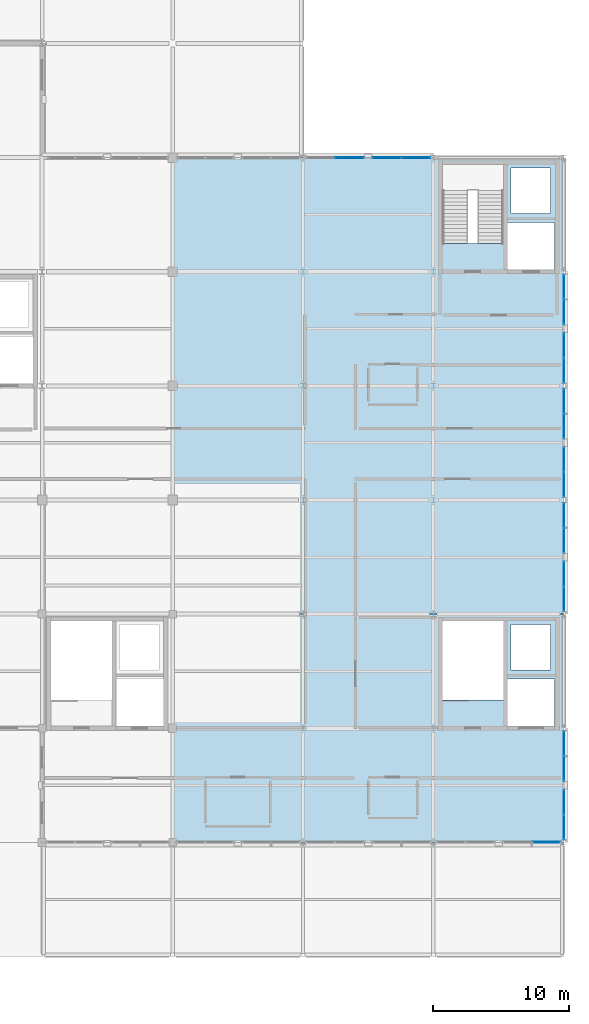
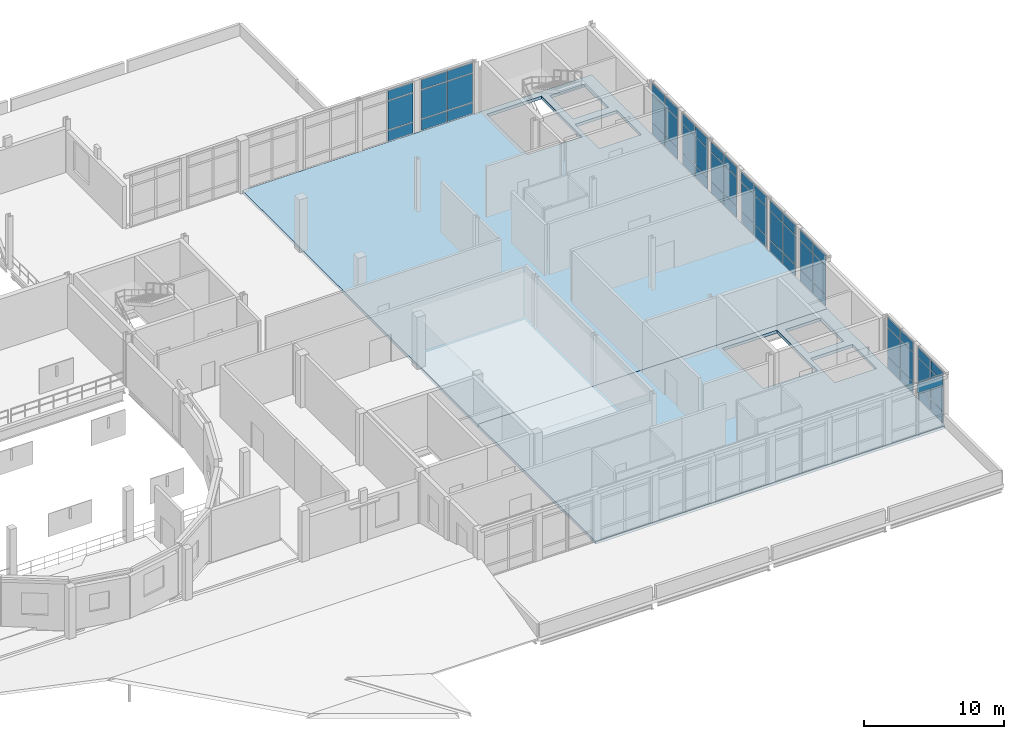
# One storey, part 33 of 52: 58 plates, 2 slabs, 11 elements without a shape of their own.
"""IFC4 building model written with IfcOpenShell, lengths in metres."""

from ifc_helpers import new_model, si_unit, direction, frame, origin, origin_2d, place, context, subcontext, project, spatial, polyline, rectangle, outline, extrude, material, layer, layer_set, type_object, element, aggregate, save


model = new_model("IFC4")

# Units and contexts
model_context = context("Model", 3, precision=1e-05, world=origin(), true_north=direction((0.0, 1.0)))
body_context = subcontext(model_context, "Body", "Model", "MODEL_VIEW")
ifc_project = project(units=[si_unit("LENGTHUNIT", "METRE"), si_unit("AREAUNIT", "SQUARE_METRE"), si_unit("VOLUMEUNIT", "CUBIC_METRE"), si_unit("PLANEANGLEUNIT", "RADIAN"), si_unit("MASSUNIT", "GRAM", prefix="KILO")], contexts=[model_context])

# Site, building, storey
site_placement = place(None, origin())
site = spatial("IfcSite", under=ifc_project, at=site_placement, CompositionType="ELEMENT")
building_placement = place(site_placement, origin())
building = spatial("IfcBuilding", under=site, at=building_placement, Name="Lornevale Opera House", CompositionType="ELEMENT")
storey_placement = place(building_placement, frame((0.0, 0.0, 15.0)))
storey = spatial("IfcBuildingStorey", under=building, at=storey_placement, Name="L04", CompositionType="ELEMENT", Elevation=15.0)

# Curtain wall, plates
ifc_material_1 = material(Name="Anodized Oxide-Green Aluminium Framing", Category="aluminium")
ifc_layer_1 = layer(ifc_material_1, 0.18505859375)
ifc_layer_set_1 = layer_set([ifc_layer_1], Name="Anodized Oxide-Green Aluminium Framing")
curtain_wall_type_1 = type_object("IfcCurtainWallType", Name="Conservatory Curtain Wall M2100", PredefinedType="NOTDEFINED", material=ifc_layer_set_1)
curtain_wall_1_placement = place(storey_placement, origin())
curtain_wall_1 = element("IfcCurtainWall", 1, at=curtain_wall_1_placement, inside=storey, type_object=curtain_wall_type_1, Name="Conservatory Curtain Wall M2100 CW-159", PredefinedType="NOTDEFINED")
ifc_layer_2 = layer(ifc_material_1, 0.06494140625)
ifc_layer_set_2 = layer_set([ifc_layer_2], Name="Anodized Oxide-Green Aluminium Framing")
plate_type_1 = type_object("IfcPlateType", Name="Insulated Shadow-Box Spandrel 65", PredefinedType="CURTAIN_PANEL", material=ifc_layer_set_2)
plate_1_placement = place(storey_placement, frame((128.219482421875, 75.60009765625, 0.074951171875), z_axis=(0.0, 0.0, 1.0), x_axis=(1.0, 0.0, 0.0)))
plate_1 = element("IfcPlate", 2, at=plate_1_placement, type_object=plate_type_1, Name="Insulated Shadow-Box Spandrel 65 CW3269", PredefinedType="CURTAIN_PANEL", context=body_context, shape_type="SweptSolid", body=[
    extrude(rectangle(XDim=2.0712890625, YDim=0.06494140625, at=origin_2d()), origin(), (0.0, 0.0, 1.0), 0.9375),
])
plate_2_placement = place(storey_placement, frame((128.219482421875, 75.60009765625, 1.08740234375), z_axis=(0.0, 0.0, 1.0), x_axis=(1.0, 0.0, 0.0)))
plate_2 = element("IfcPlate", 3, at=plate_2_placement, type_object=plate_type_1, Name="Insulated Shadow-Box Spandrel 65 CW3270", PredefinedType="CURTAIN_PANEL", context=body_context, shape_type="SweptSolid", body=[
    extrude(rectangle(XDim=2.0712890625, YDim=0.06494140625, at=origin_2d()), origin(), (0.0, 0.0, 1.0), 2.485107421875),
])
plate_3_placement = place(storey_placement, frame((128.219482421875, 75.60009765625, 3.647705078125), z_axis=(0.0, 0.0, 1.0), x_axis=(1.0, 0.0, 0.0)))
plate_3 = element("IfcPlate", 4, at=plate_3_placement, type_object=plate_type_1, Name="Insulated Shadow-Box Spandrel 65 CW3271", PredefinedType="CURTAIN_PANEL", context=body_context, shape_type="SweptSolid", body=[
    extrude(rectangle(XDim=2.0712890625, YDim=0.06494140625, at=origin_2d()), origin(), (0.0, 0.0, 1.0), 0.83740234375),
])
aggregate(curtain_wall_1, [plate_1, plate_2, plate_3])

curtain_wall_2_placement = place(storey_placement, origin())
curtain_wall_2 = element("IfcCurtainWall", 5, at=curtain_wall_2_placement, inside=storey, type_object=curtain_wall_type_1, Name="Conservatory Curtain Wall M2100 CW-160", PredefinedType="NOTDEFINED")
plate_4_placement = place(storey_placement, frame((130.980712890625, 75.60009765625, 0.074951171875), z_axis=(0.0, 0.0, 1.0), x_axis=(1.0, 0.0, 0.0)))
plate_4 = element("IfcPlate", 6, at=plate_4_placement, type_object=plate_type_1, Name="Insulated Shadow-Box Spandrel 65 CW3279", PredefinedType="CURTAIN_PANEL", context=body_context, shape_type="SweptSolid", body=[
    extrude(rectangle(XDim=2.0712890625, YDim=0.06494140625, at=origin_2d()), origin(), (0.0, 0.0, 1.0), 0.9375),
])
plate_5_placement = place(storey_placement, frame((130.980712890625, 75.60009765625, 1.08740234375), z_axis=(0.0, 0.0, 1.0), x_axis=(1.0, 0.0, 0.0)))
plate_5 = element("IfcPlate", 7, at=plate_5_placement, type_object=plate_type_1, Name="Insulated Shadow-Box Spandrel 65 CW3280", PredefinedType="CURTAIN_PANEL", context=body_context, shape_type="SweptSolid", body=[
    extrude(rectangle(XDim=2.0712890625, YDim=0.06494140625, at=origin_2d()), origin(), (0.0, 0.0, 1.0), 2.485107421875),
])
plate_6_placement = place(storey_placement, frame((130.980712890625, 75.60009765625, 3.647705078125), z_axis=(0.0, 0.0, 1.0), x_axis=(1.0, 0.0, 0.0)))
plate_6 = element("IfcPlate", 8, at=plate_6_placement, type_object=plate_type_1, Name="Insulated Shadow-Box Spandrel 65 CW3281", PredefinedType="CURTAIN_PANEL", context=body_context, shape_type="SweptSolid", body=[
    extrude(rectangle(XDim=2.0712890625, YDim=0.06494140625, at=origin_2d()), origin(), (0.0, 0.0, 1.0), 0.83740234375),
])
plate_7_placement = place(storey_placement, frame((133.116943359375, 75.60009765625, 0.074951171875), z_axis=(0.0, 0.0, 1.0), x_axis=(1.0, 0.0, 0.0)))
plate_7 = element("IfcPlate", 9, at=plate_7_placement, type_object=plate_type_1, Name="Insulated Shadow-Box Spandrel 65 CW3286", PredefinedType="CURTAIN_PANEL", context=body_context, shape_type="SweptSolid", body=[
    extrude(rectangle(XDim=2.0712890625, YDim=0.06494140625, at=origin_2d()), origin(), (0.0, 0.0, 1.0), 0.9375),
])
plate_8_placement = place(storey_placement, frame((133.116943359375, 75.60009765625, 1.08740234375), z_axis=(0.0, 0.0, 1.0), x_axis=(1.0, 0.0, 0.0)))
plate_8 = element("IfcPlate", 10, at=plate_8_placement, type_object=plate_type_1, Name="Insulated Shadow-Box Spandrel 65 CW3287", PredefinedType="CURTAIN_PANEL", context=body_context, shape_type="SweptSolid", body=[
    extrude(rectangle(XDim=2.0712890625, YDim=0.06494140625, at=origin_2d()), origin(), (0.0, 0.0, 1.0), 2.485107421875),
])
plate_9_placement = place(storey_placement, frame((133.116943359375, 75.60009765625, 3.647705078125), z_axis=(0.0, 0.0, 1.0), x_axis=(1.0, 0.0, 0.0)))
plate_9 = element("IfcPlate", 11, at=plate_9_placement, type_object=plate_type_1, Name="Insulated Shadow-Box Spandrel 65 CW3288", PredefinedType="CURTAIN_PANEL", context=body_context, shape_type="SweptSolid", body=[
    extrude(rectangle(XDim=2.0712890625, YDim=0.06494140625, at=origin_2d()), origin(), (0.0, 0.0, 1.0), 0.83740234375),
])
aggregate(curtain_wall_2, [plate_4, plate_5, plate_6, plate_7, plate_8, plate_9])

# Curtain wall, plate
curtain_wall_3_placement = place(storey_placement, origin())
curtain_wall_3 = element("IfcCurtainWall", 12, at=curtain_wall_3_placement, inside=storey, type_object=curtain_wall_type_1, Name="Conservatory Curtain Wall M2100 CW-161", PredefinedType="NOTDEFINED")
plate_10_placement = place(storey_placement, frame((142.716796875, 25.199951171875, 3.647705078125), z_axis=(0.0, 0.0, 1.0), x_axis=(-1.0, 0.0, 0.0)))
plate_10 = element("IfcPlate", 13, at=plate_10_placement, type_object=plate_type_1, Name="Insulated Shadow-Box Spandrel 65 CW3298", PredefinedType="CURTAIN_PANEL", context=body_context, shape_type="SweptSolid", body=[
    extrude(rectangle(XDim=2.0712890625, YDim=0.06494140625, at=origin_2d()), origin(), (0.0, 0.0, 1.0), 0.83740234375),
])
aggregate(curtain_wall_3, [plate_10])

# Curtain wall, plates
ifc_layer_3 = layer(ifc_material_1, 0.179931640625)
ifc_layer_set_3 = layer_set([ifc_layer_3], Name="Anodized Oxide-Green Aluminium Framing")
curtain_wall_type_2 = type_object("IfcCurtainWallType", Name="Promenade Gallery Curtain Wall M1800", PredefinedType="NOTDEFINED", material=ifc_layer_set_3)
curtain_wall_4_placement = place(storey_placement, origin())
curtain_wall_4 = element("IfcCurtainWall", 14, at=curtain_wall_4_placement, inside=storey, type_object=curtain_wall_type_2, Name="Promenade Gallery Curtain Wall M1800 CW-163", PredefinedType="NOTDEFINED")
ifc_material_2 = material(Name="Triple Low-E Insulated Glazing", Category="glass")
ifc_layer_4 = layer(ifc_material_2, 0.0380859375)
ifc_layer_set_4 = layer_set([ifc_layer_4], Name="Triple Low-E Insulated Glazing")
plate_type_2 = type_object("IfcPlateType", Name="Triple Low-E Vision Panel 38", PredefinedType="CURTAIN_PANEL", material=ifc_layer_set_4)
plate_11_placement = place(storey_placement, frame((144.0, 32.46875, 0.06494140625), z_axis=(0.0, 0.0, 1.0), x_axis=(0.0, -1.0, 0.0)))
plate_11 = element("IfcPlate", 15, at=plate_11_placement, type_object=plate_type_2, Name="Triple Low-E Vision Panel 38 CW3330", PredefinedType="CURTAIN_PANEL", context=body_context, shape_type="SweptSolid", body=[
    extrude(rectangle(XDim=1.7724609375, YDim=0.0380859375, at=origin_2d()), origin(), (0.0, 0.0, 1.0), 0.952392578125),
])
plate_12_placement = place(storey_placement, frame((144.0, 32.46875, 1.08251953125), z_axis=(0.0, 0.0, 1.0), x_axis=(0.0, -1.0, 0.0)))
plate_12 = element("IfcPlate", 16, at=plate_12_placement, type_object=plate_type_2, Name="Triple Low-E Vision Panel 38 CW3331", PredefinedType="CURTAIN_PANEL", context=body_context, shape_type="SweptSolid", body=[
    extrude(rectangle(XDim=1.7724609375, YDim=0.0380859375, at=origin_2d()), origin(), (0.0, 0.0, 1.0), 2.4951171875),
])
plate_13_placement = place(storey_placement, frame((144.0, 32.46875, 3.642578125), z_axis=(0.0, 0.0, 1.0), x_axis=(0.0, -1.0, 0.0)))
plate_13 = element("IfcPlate", 17, at=plate_13_placement, type_object=plate_type_2, Name="Triple Low-E Vision Panel 38 CW3332", PredefinedType="CURTAIN_PANEL", context=body_context, shape_type="SweptSolid", body=[
    extrude(rectangle(XDim=1.7724609375, YDim=0.0380859375, at=origin_2d()), origin(), (0.0, 0.0, 1.0), 0.8525390625),
])
plate_14_placement = place(storey_placement, frame((144.0, 30.63134765625, 0.06494140625), z_axis=(0.0, 0.0, 1.0), x_axis=(0.0, -1.0, 0.0)))
plate_14 = element("IfcPlate", 18, at=plate_14_placement, type_object=plate_type_2, Name="Triple Low-E Vision Panel 38 CW3337", PredefinedType="CURTAIN_PANEL", context=body_context, shape_type="SweptSolid", body=[
    extrude(rectangle(XDim=1.7724609375, YDim=0.0380859375, at=origin_2d()), origin(), (0.0, 0.0, 1.0), 0.952392578125),
])
plate_15_placement = place(storey_placement, frame((144.0, 30.63134765625, 1.08251953125), z_axis=(0.0, 0.0, 1.0), x_axis=(0.0, -1.0, 0.0)))
plate_15 = element("IfcPlate", 19, at=plate_15_placement, type_object=plate_type_2, Name="Triple Low-E Vision Panel 38 CW3338", PredefinedType="CURTAIN_PANEL", context=body_context, shape_type="SweptSolid", body=[
    extrude(rectangle(XDim=1.7724609375, YDim=0.0380859375, at=origin_2d()), origin(), (0.0, 0.0, 1.0), 2.4951171875),
])
plate_16_placement = place(storey_placement, frame((144.0, 30.63134765625, 3.642578125), z_axis=(0.0, 0.0, 1.0), x_axis=(0.0, -1.0, 0.0)))
plate_16 = element("IfcPlate", 20, at=plate_16_placement, type_object=plate_type_2, Name="Triple Low-E Vision Panel 38 CW3339", PredefinedType="CURTAIN_PANEL", context=body_context, shape_type="SweptSolid", body=[
    extrude(rectangle(XDim=1.7724609375, YDim=0.0380859375, at=origin_2d()), origin(), (0.0, 0.0, 1.0), 0.8525390625),
])
aggregate(curtain_wall_4, [plate_11, plate_12, plate_13, plate_14, plate_15, plate_16])

curtain_wall_5_placement = place(storey_placement, origin())
curtain_wall_5 = element("IfcCurtainWall", 21, at=curtain_wall_5_placement, inside=storey, type_object=curtain_wall_type_2, Name="Promenade Gallery Curtain Wall M1800 CW-164", PredefinedType="NOTDEFINED")
plate_17_placement = place(storey_placement, frame((144.0, 28.168701171875, 0.06494140625), z_axis=(0.0, 0.0, 1.0), x_axis=(0.0, -1.0, 0.0)))
plate_17 = element("IfcPlate", 22, at=plate_17_placement, type_object=plate_type_2, Name="Triple Low-E Vision Panel 38 CW3347", PredefinedType="CURTAIN_PANEL", context=body_context, shape_type="SweptSolid", body=[
    extrude(rectangle(XDim=1.7724609375, YDim=0.0380859375, at=origin_2d()), origin(), (0.0, 0.0, 1.0), 0.952392578125),
])
plate_18_placement = place(storey_placement, frame((144.0, 28.168701171875, 1.08251953125), z_axis=(0.0, 0.0, 1.0), x_axis=(0.0, -1.0, 0.0)))
plate_18 = element("IfcPlate", 23, at=plate_18_placement, type_object=plate_type_2, Name="Triple Low-E Vision Panel 38 CW3348", PredefinedType="CURTAIN_PANEL", context=body_context, shape_type="SweptSolid", body=[
    extrude(rectangle(XDim=1.7724609375, YDim=0.0380859375, at=origin_2d()), origin(), (0.0, 0.0, 1.0), 2.4951171875),
])
plate_19_placement = place(storey_placement, frame((144.0, 28.168701171875, 3.642578125), z_axis=(0.0, 0.0, 1.0), x_axis=(0.0, -1.0, 0.0)))
plate_19 = element("IfcPlate", 24, at=plate_19_placement, type_object=plate_type_2, Name="Triple Low-E Vision Panel 38 CW3349", PredefinedType="CURTAIN_PANEL", context=body_context, shape_type="SweptSolid", body=[
    extrude(rectangle(XDim=1.7724609375, YDim=0.0380859375, at=origin_2d()), origin(), (0.0, 0.0, 1.0), 0.8525390625),
])
plate_20_placement = place(storey_placement, frame((144.0, 26.331298828125, 0.06494140625), z_axis=(0.0, 0.0, 1.0), x_axis=(0.0, -1.0, 0.0)))
plate_20 = element("IfcPlate", 25, at=plate_20_placement, type_object=plate_type_2, Name="Triple Low-E Vision Panel 38 CW3354", PredefinedType="CURTAIN_PANEL", context=body_context, shape_type="SweptSolid", body=[
    extrude(rectangle(XDim=1.7724609375, YDim=0.0380859375, at=origin_2d()), origin(), (0.0, 0.0, 1.0), 0.952392578125),
])
plate_21_placement = place(storey_placement, frame((144.0, 26.331298828125, 1.08251953125), z_axis=(0.0, 0.0, 1.0), x_axis=(0.0, -1.0, 0.0)))
plate_21 = element("IfcPlate", 26, at=plate_21_placement, type_object=plate_type_2, Name="Triple Low-E Vision Panel 38 CW3355", PredefinedType="CURTAIN_PANEL", context=body_context, shape_type="SweptSolid", body=[
    extrude(rectangle(XDim=1.7724609375, YDim=0.0380859375, at=origin_2d()), origin(), (0.0, 0.0, 1.0), 2.4951171875),
])
plate_22_placement = place(storey_placement, frame((144.0, 26.331298828125, 3.642578125), z_axis=(0.0, 0.0, 1.0), x_axis=(0.0, -1.0, 0.0)))
plate_22 = element("IfcPlate", 27, at=plate_22_placement, type_object=plate_type_2, Name="Triple Low-E Vision Panel 38 CW3356", PredefinedType="CURTAIN_PANEL", context=body_context, shape_type="SweptSolid", body=[
    extrude(rectangle(XDim=1.7724609375, YDim=0.0380859375, at=origin_2d()), origin(), (0.0, 0.0, 1.0), 0.8525390625),
])
aggregate(curtain_wall_5, [plate_17, plate_18, plate_19, plate_20, plate_21, plate_22])

curtain_wall_6_placement = place(storey_placement, origin())
curtain_wall_6 = element("IfcCurtainWall", 28, at=curtain_wall_6_placement, inside=storey, type_object=curtain_wall_type_2, Name="Promenade Gallery Curtain Wall M1800 CW-165", PredefinedType="NOTDEFINED")
plate_23_placement = place(storey_placement, frame((144.0, 49.268798828125, 0.06494140625), z_axis=(0.0, 0.0, 1.0), x_axis=(0.0, -1.0, 0.0)))
plate_23 = element("IfcPlate", 29, at=plate_23_placement, type_object=plate_type_2, Name="Triple Low-E Vision Panel 38 CW3364", PredefinedType="CURTAIN_PANEL", context=body_context, shape_type="SweptSolid", body=[
    extrude(rectangle(XDim=1.7724609375, YDim=0.0380859375, at=origin_2d()), origin(), (0.0, 0.0, 1.0), 0.952392578125),
])
plate_24_placement = place(storey_placement, frame((144.0, 49.268798828125, 1.08251953125), z_axis=(0.0, 0.0, 1.0), x_axis=(0.0, -1.0, 0.0)))
plate_24 = element("IfcPlate", 30, at=plate_24_placement, type_object=plate_type_2, Name="Triple Low-E Vision Panel 38 CW3365", PredefinedType="CURTAIN_PANEL", context=body_context, shape_type="SweptSolid", body=[
    extrude(rectangle(XDim=1.7724609375, YDim=0.0380859375, at=origin_2d()), origin(), (0.0, 0.0, 1.0), 2.4951171875),
])
plate_25_placement = place(storey_placement, frame((144.0, 49.268798828125, 3.642578125), z_axis=(0.0, 0.0, 1.0), x_axis=(0.0, -1.0, 0.0)))
plate_25 = element("IfcPlate", 31, at=plate_25_placement, type_object=plate_type_2, Name="Triple Low-E Vision Panel 38 CW3366", PredefinedType="CURTAIN_PANEL", context=body_context, shape_type="SweptSolid", body=[
    extrude(rectangle(XDim=1.7724609375, YDim=0.0380859375, at=origin_2d()), origin(), (0.0, 0.0, 1.0), 0.8525390625),
])
plate_26_placement = place(storey_placement, frame((144.0, 47.43115234375, 0.06494140625), z_axis=(0.0, 0.0, 1.0), x_axis=(0.0, -1.0, 0.0)))
plate_26 = element("IfcPlate", 32, at=plate_26_placement, type_object=plate_type_2, Name="Triple Low-E Vision Panel 38 CW3371", PredefinedType="CURTAIN_PANEL", context=body_context, shape_type="SweptSolid", body=[
    extrude(rectangle(XDim=1.7724609375, YDim=0.0380859375, at=origin_2d()), origin(), (0.0, 0.0, 1.0), 0.952392578125),
])
plate_27_placement = place(storey_placement, frame((144.0, 47.43115234375, 1.08251953125), z_axis=(0.0, 0.0, 1.0), x_axis=(0.0, -1.0, 0.0)))
plate_27 = element("IfcPlate", 33, at=plate_27_placement, type_object=plate_type_2, Name="Triple Low-E Vision Panel 38 CW3372", PredefinedType="CURTAIN_PANEL", context=body_context, shape_type="SweptSolid", body=[
    extrude(rectangle(XDim=1.7724609375, YDim=0.0380859375, at=origin_2d()), origin(), (0.0, 0.0, 1.0), 2.4951171875),
])
plate_28_placement = place(storey_placement, frame((144.0, 47.43115234375, 3.642578125), z_axis=(0.0, 0.0, 1.0), x_axis=(0.0, -1.0, 0.0)))
plate_28 = element("IfcPlate", 34, at=plate_28_placement, type_object=plate_type_2, Name="Triple Low-E Vision Panel 38 CW3373", PredefinedType="CURTAIN_PANEL", context=body_context, shape_type="SweptSolid", body=[
    extrude(rectangle(XDim=1.7724609375, YDim=0.0380859375, at=origin_2d()), origin(), (0.0, 0.0, 1.0), 0.8525390625),
])
aggregate(curtain_wall_6, [plate_23, plate_24, plate_25, plate_26, plate_27, plate_28])

curtain_wall_7_placement = place(storey_placement, origin())
curtain_wall_7 = element("IfcCurtainWall", 35, at=curtain_wall_7_placement, inside=storey, type_object=curtain_wall_type_2, Name="Promenade Gallery Curtain Wall M1800 CW-166", PredefinedType="NOTDEFINED")
plate_29_placement = place(storey_placement, frame((144.0, 44.96875, 0.06494140625), z_axis=(0.0, 0.0, 1.0), x_axis=(0.0, -1.0, 0.0)))
plate_29 = element("IfcPlate", 36, at=plate_29_placement, type_object=plate_type_2, Name="Triple Low-E Vision Panel 38 CW3381", PredefinedType="CURTAIN_PANEL", context=body_context, shape_type="SweptSolid", body=[
    extrude(rectangle(XDim=1.7724609375, YDim=0.0380859375, at=origin_2d()), origin(), (0.0, 0.0, 1.0), 0.952392578125),
])
plate_30_placement = place(storey_placement, frame((144.0, 44.96875, 1.08251953125), z_axis=(0.0, 0.0, 1.0), x_axis=(0.0, -1.0, 0.0)))
plate_30 = element("IfcPlate", 37, at=plate_30_placement, type_object=plate_type_2, Name="Triple Low-E Vision Panel 38 CW3382", PredefinedType="CURTAIN_PANEL", context=body_context, shape_type="SweptSolid", body=[
    extrude(rectangle(XDim=1.7724609375, YDim=0.0380859375, at=origin_2d()), origin(), (0.0, 0.0, 1.0), 2.4951171875),
])
plate_31_placement = place(storey_placement, frame((144.0, 44.96875, 3.642578125), z_axis=(0.0, 0.0, 1.0), x_axis=(0.0, -1.0, 0.0)))
plate_31 = element("IfcPlate", 38, at=plate_31_placement, type_object=plate_type_2, Name="Triple Low-E Vision Panel 38 CW3383", PredefinedType="CURTAIN_PANEL", context=body_context, shape_type="SweptSolid", body=[
    extrude(rectangle(XDim=1.7724609375, YDim=0.0380859375, at=origin_2d()), origin(), (0.0, 0.0, 1.0), 0.8525390625),
])
plate_32_placement = place(storey_placement, frame((144.0, 43.13134765625, 0.06494140625), z_axis=(0.0, 0.0, 1.0), x_axis=(0.0, -1.0, 0.0)))
plate_32 = element("IfcPlate", 39, at=plate_32_placement, type_object=plate_type_2, Name="Triple Low-E Vision Panel 38 CW3388", PredefinedType="CURTAIN_PANEL", context=body_context, shape_type="SweptSolid", body=[
    extrude(rectangle(XDim=1.7724609375, YDim=0.0380859375, at=origin_2d()), origin(), (0.0, 0.0, 1.0), 0.952392578125),
])
plate_33_placement = place(storey_placement, frame((144.0, 43.13134765625, 1.08251953125), z_axis=(0.0, 0.0, 1.0), x_axis=(0.0, -1.0, 0.0)))
plate_33 = element("IfcPlate", 40, at=plate_33_placement, type_object=plate_type_2, Name="Triple Low-E Vision Panel 38 CW3389", PredefinedType="CURTAIN_PANEL", context=body_context, shape_type="SweptSolid", body=[
    extrude(rectangle(XDim=1.7724609375, YDim=0.0380859375, at=origin_2d()), origin(), (0.0, 0.0, 1.0), 2.4951171875),
])
plate_34_placement = place(storey_placement, frame((144.0, 43.13134765625, 3.642578125), z_axis=(0.0, 0.0, 1.0), x_axis=(0.0, -1.0, 0.0)))
plate_34 = element("IfcPlate", 41, at=plate_34_placement, type_object=plate_type_2, Name="Triple Low-E Vision Panel 38 CW3390", PredefinedType="CURTAIN_PANEL", context=body_context, shape_type="SweptSolid", body=[
    extrude(rectangle(XDim=1.7724609375, YDim=0.0380859375, at=origin_2d()), origin(), (0.0, 0.0, 1.0), 0.8525390625),
])
aggregate(curtain_wall_7, [plate_29, plate_30, plate_31, plate_32, plate_33, plate_34])

curtain_wall_8_placement = place(storey_placement, origin())
curtain_wall_8 = element("IfcCurtainWall", 42, at=curtain_wall_8_placement, inside=storey, type_object=curtain_wall_type_2, Name="Promenade Gallery Curtain Wall M1800 CW-167", PredefinedType="NOTDEFINED")
plate_35_placement = place(storey_placement, frame((144.0, 57.668701171875, 0.06494140625), z_axis=(0.0, 0.0, 1.0), x_axis=(0.0, -1.0, 0.0)))
plate_35 = element("IfcPlate", 43, at=plate_35_placement, type_object=plate_type_2, Name="Triple Low-E Vision Panel 38 CW3398", PredefinedType="CURTAIN_PANEL", context=body_context, shape_type="SweptSolid", body=[
    extrude(rectangle(XDim=1.7724609375, YDim=0.0380859375, at=origin_2d()), origin(), (0.0, 0.0, 1.0), 0.952392578125),
])
plate_36_placement = place(storey_placement, frame((144.0, 57.668701171875, 1.08251953125), z_axis=(0.0, 0.0, 1.0), x_axis=(0.0, -1.0, 0.0)))
plate_36 = element("IfcPlate", 44, at=plate_36_placement, type_object=plate_type_2, Name="Triple Low-E Vision Panel 38 CW3399", PredefinedType="CURTAIN_PANEL", context=body_context, shape_type="SweptSolid", body=[
    extrude(rectangle(XDim=1.7724609375, YDim=0.0380859375, at=origin_2d()), origin(), (0.0, 0.0, 1.0), 2.4951171875),
])
plate_37_placement = place(storey_placement, frame((144.0, 57.668701171875, 3.642578125), z_axis=(0.0, 0.0, 1.0), x_axis=(0.0, -1.0, 0.0)))
plate_37 = element("IfcPlate", 45, at=plate_37_placement, type_object=plate_type_2, Name="Triple Low-E Vision Panel 38 CW3400", PredefinedType="CURTAIN_PANEL", context=body_context, shape_type="SweptSolid", body=[
    extrude(rectangle(XDim=1.7724609375, YDim=0.0380859375, at=origin_2d()), origin(), (0.0, 0.0, 1.0), 0.8525390625),
])
plate_38_placement = place(storey_placement, frame((144.0, 55.831298828125, 0.06494140625), z_axis=(0.0, 0.0, 1.0), x_axis=(0.0, -1.0, 0.0)))
plate_38 = element("IfcPlate", 46, at=plate_38_placement, type_object=plate_type_2, Name="Triple Low-E Vision Panel 38 CW3405", PredefinedType="CURTAIN_PANEL", context=body_context, shape_type="SweptSolid", body=[
    extrude(rectangle(XDim=1.7724609375, YDim=0.0380859375, at=origin_2d()), origin(), (0.0, 0.0, 1.0), 0.952392578125),
])
plate_39_placement = place(storey_placement, frame((144.0, 55.831298828125, 1.08251953125), z_axis=(0.0, 0.0, 1.0), x_axis=(0.0, -1.0, 0.0)))
plate_39 = element("IfcPlate", 47, at=plate_39_placement, type_object=plate_type_2, Name="Triple Low-E Vision Panel 38 CW3406", PredefinedType="CURTAIN_PANEL", context=body_context, shape_type="SweptSolid", body=[
    extrude(rectangle(XDim=1.7724609375, YDim=0.0380859375, at=origin_2d()), origin(), (0.0, 0.0, 1.0), 2.4951171875),
])
plate_40_placement = place(storey_placement, frame((144.0, 55.831298828125, 3.642578125), z_axis=(0.0, 0.0, 1.0), x_axis=(0.0, -1.0, 0.0)))
plate_40 = element("IfcPlate", 48, at=plate_40_placement, type_object=plate_type_2, Name="Triple Low-E Vision Panel 38 CW3407", PredefinedType="CURTAIN_PANEL", context=body_context, shape_type="SweptSolid", body=[
    extrude(rectangle(XDim=1.7724609375, YDim=0.0380859375, at=origin_2d()), origin(), (0.0, 0.0, 1.0), 0.8525390625),
])
aggregate(curtain_wall_8, [plate_35, plate_36, plate_37, plate_38, plate_39, plate_40])

curtain_wall_9_placement = place(storey_placement, origin())
curtain_wall_9 = element("IfcCurtainWall", 49, at=curtain_wall_9_placement, inside=storey, type_object=curtain_wall_type_2, Name="Promenade Gallery Curtain Wall M1800 CW-168", PredefinedType="NOTDEFINED")
plate_41_placement = place(storey_placement, frame((144.0, 53.36865234375, 0.06494140625), z_axis=(0.0, 0.0, 1.0), x_axis=(0.0, -1.0, 0.0)))
plate_41 = element("IfcPlate", 50, at=plate_41_placement, type_object=plate_type_2, Name="Triple Low-E Vision Panel 38 CW3415", PredefinedType="CURTAIN_PANEL", context=body_context, shape_type="SweptSolid", body=[
    extrude(rectangle(XDim=1.7724609375, YDim=0.0380859375, at=origin_2d()), origin(), (0.0, 0.0, 1.0), 0.952392578125),
])
plate_42_placement = place(storey_placement, frame((144.0, 53.36865234375, 1.08251953125), z_axis=(0.0, 0.0, 1.0), x_axis=(0.0, -1.0, 0.0)))
plate_42 = element("IfcPlate", 51, at=plate_42_placement, type_object=plate_type_2, Name="Triple Low-E Vision Panel 38 CW3416", PredefinedType="CURTAIN_PANEL", context=body_context, shape_type="SweptSolid", body=[
    extrude(rectangle(XDim=1.7724609375, YDim=0.0380859375, at=origin_2d()), origin(), (0.0, 0.0, 1.0), 2.4951171875),
])
plate_43_placement = place(storey_placement, frame((144.0, 53.36865234375, 3.642578125), z_axis=(0.0, 0.0, 1.0), x_axis=(0.0, -1.0, 0.0)))
plate_43 = element("IfcPlate", 52, at=plate_43_placement, type_object=plate_type_2, Name="Triple Low-E Vision Panel 38 CW3417", PredefinedType="CURTAIN_PANEL", context=body_context, shape_type="SweptSolid", body=[
    extrude(rectangle(XDim=1.7724609375, YDim=0.0380859375, at=origin_2d()), origin(), (0.0, 0.0, 1.0), 0.8525390625),
])
plate_44_placement = place(storey_placement, frame((144.0, 51.53125, 0.06494140625), z_axis=(0.0, 0.0, 1.0), x_axis=(0.0, -1.0, 0.0)))
plate_44 = element("IfcPlate", 53, at=plate_44_placement, type_object=plate_type_2, Name="Triple Low-E Vision Panel 38 CW3422", PredefinedType="CURTAIN_PANEL", context=body_context, shape_type="SweptSolid", body=[
    extrude(rectangle(XDim=1.7724609375, YDim=0.0380859375, at=origin_2d()), origin(), (0.0, 0.0, 1.0), 0.952392578125),
])
plate_45_placement = place(storey_placement, frame((144.0, 51.53125, 1.08251953125), z_axis=(0.0, 0.0, 1.0), x_axis=(0.0, -1.0, 0.0)))
plate_45 = element("IfcPlate", 54, at=plate_45_placement, type_object=plate_type_2, Name="Triple Low-E Vision Panel 38 CW3423", PredefinedType="CURTAIN_PANEL", context=body_context, shape_type="SweptSolid", body=[
    extrude(rectangle(XDim=1.7724609375, YDim=0.0380859375, at=origin_2d()), origin(), (0.0, 0.0, 1.0), 2.4951171875),
])
plate_46_placement = place(storey_placement, frame((144.0, 51.53125, 3.642578125), z_axis=(0.0, 0.0, 1.0), x_axis=(0.0, -1.0, 0.0)))
plate_46 = element("IfcPlate", 55, at=plate_46_placement, type_object=plate_type_2, Name="Triple Low-E Vision Panel 38 CW3424", PredefinedType="CURTAIN_PANEL", context=body_context, shape_type="SweptSolid", body=[
    extrude(rectangle(XDim=1.7724609375, YDim=0.0380859375, at=origin_2d()), origin(), (0.0, 0.0, 1.0), 0.8525390625),
])
aggregate(curtain_wall_9, [plate_41, plate_42, plate_43, plate_44, plate_45, plate_46])

curtain_wall_10_placement = place(storey_placement, origin())
curtain_wall_10 = element("IfcCurtainWall", 56, at=curtain_wall_10_placement, inside=storey, type_object=curtain_wall_type_2, Name="Promenade Gallery Curtain Wall M1800 CW-169", PredefinedType="NOTDEFINED")
plate_47_placement = place(storey_placement, frame((144.0, 66.068603515625, 0.06494140625), z_axis=(0.0, 0.0, 1.0), x_axis=(0.0, -1.0, 0.0)))
plate_47 = element("IfcPlate", 57, at=plate_47_placement, type_object=plate_type_2, Name="Triple Low-E Vision Panel 38 CW3432", PredefinedType="CURTAIN_PANEL", context=body_context, shape_type="SweptSolid", body=[
    extrude(rectangle(XDim=1.7724609375, YDim=0.0380859375, at=origin_2d()), origin(), (0.0, 0.0, 1.0), 0.952392578125),
])
plate_48_placement = place(storey_placement, frame((144.0, 66.068603515625, 1.08251953125), z_axis=(0.0, 0.0, 1.0), x_axis=(0.0, -1.0, 0.0)))
plate_48 = element("IfcPlate", 58, at=plate_48_placement, type_object=plate_type_2, Name="Triple Low-E Vision Panel 38 CW3433", PredefinedType="CURTAIN_PANEL", context=body_context, shape_type="SweptSolid", body=[
    extrude(rectangle(XDim=1.7724609375, YDim=0.0380859375, at=origin_2d()), origin(), (0.0, 0.0, 1.0), 2.4951171875),
])
plate_49_placement = place(storey_placement, frame((144.0, 66.068603515625, 3.642578125), z_axis=(0.0, 0.0, 1.0), x_axis=(0.0, -1.0, 0.0)))
plate_49 = element("IfcPlate", 59, at=plate_49_placement, type_object=plate_type_2, Name="Triple Low-E Vision Panel 38 CW3434", PredefinedType="CURTAIN_PANEL", context=body_context, shape_type="SweptSolid", body=[
    extrude(rectangle(XDim=1.7724609375, YDim=0.0380859375, at=origin_2d()), origin(), (0.0, 0.0, 1.0), 0.8525390625),
])
plate_50_placement = place(storey_placement, frame((144.0, 64.231201171875, 0.06494140625), z_axis=(0.0, 0.0, 1.0), x_axis=(0.0, -1.0, 0.0)))
plate_50 = element("IfcPlate", 60, at=plate_50_placement, type_object=plate_type_2, Name="Triple Low-E Vision Panel 38 CW3439", PredefinedType="CURTAIN_PANEL", context=body_context, shape_type="SweptSolid", body=[
    extrude(rectangle(XDim=1.7724609375, YDim=0.0380859375, at=origin_2d()), origin(), (0.0, 0.0, 1.0), 0.952392578125),
])
plate_51_placement = place(storey_placement, frame((144.0, 64.231201171875, 1.08251953125), z_axis=(0.0, 0.0, 1.0), x_axis=(0.0, -1.0, 0.0)))
plate_51 = element("IfcPlate", 61, at=plate_51_placement, type_object=plate_type_2, Name="Triple Low-E Vision Panel 38 CW3440", PredefinedType="CURTAIN_PANEL", context=body_context, shape_type="SweptSolid", body=[
    extrude(rectangle(XDim=1.7724609375, YDim=0.0380859375, at=origin_2d()), origin(), (0.0, 0.0, 1.0), 2.4951171875),
])
plate_52_placement = place(storey_placement, frame((144.0, 64.231201171875, 3.642578125), z_axis=(0.0, 0.0, 1.0), x_axis=(0.0, -1.0, 0.0)))
plate_52 = element("IfcPlate", 62, at=plate_52_placement, type_object=plate_type_2, Name="Triple Low-E Vision Panel 38 CW3441", PredefinedType="CURTAIN_PANEL", context=body_context, shape_type="SweptSolid", body=[
    extrude(rectangle(XDim=1.7724609375, YDim=0.0380859375, at=origin_2d()), origin(), (0.0, 0.0, 1.0), 0.8525390625),
])
aggregate(curtain_wall_10, [plate_47, plate_48, plate_49, plate_50, plate_51, plate_52])

curtain_wall_11_placement = place(storey_placement, origin())
curtain_wall_11 = element("IfcCurtainWall", 63, at=curtain_wall_11_placement, inside=storey, type_object=curtain_wall_type_2, Name="Promenade Gallery Curtain Wall M1800 CW-170", PredefinedType="NOTDEFINED")
plate_53_placement = place(storey_placement, frame((144.0, 61.768798828125, 0.06494140625), z_axis=(0.0, 0.0, 1.0), x_axis=(0.0, -1.0, 0.0)))
plate_53 = element("IfcPlate", 64, at=plate_53_placement, type_object=plate_type_2, Name="Triple Low-E Vision Panel 38 CW3449", PredefinedType="CURTAIN_PANEL", context=body_context, shape_type="SweptSolid", body=[
    extrude(rectangle(XDim=1.7724609375, YDim=0.0380859375, at=origin_2d()), origin(), (0.0, 0.0, 1.0), 0.952392578125),
])
plate_54_placement = place(storey_placement, frame((144.0, 61.768798828125, 1.08251953125), z_axis=(0.0, 0.0, 1.0), x_axis=(0.0, -1.0, 0.0)))
plate_54 = element("IfcPlate", 65, at=plate_54_placement, type_object=plate_type_2, Name="Triple Low-E Vision Panel 38 CW3450", PredefinedType="CURTAIN_PANEL", context=body_context, shape_type="SweptSolid", body=[
    extrude(rectangle(XDim=1.7724609375, YDim=0.0380859375, at=origin_2d()), origin(), (0.0, 0.0, 1.0), 2.4951171875),
])
plate_55_placement = place(storey_placement, frame((144.0, 61.768798828125, 3.642578125), z_axis=(0.0, 0.0, 1.0), x_axis=(0.0, -1.0, 0.0)))
plate_55 = element("IfcPlate", 66, at=plate_55_placement, type_object=plate_type_2, Name="Triple Low-E Vision Panel 38 CW3451", PredefinedType="CURTAIN_PANEL", context=body_context, shape_type="SweptSolid", body=[
    extrude(rectangle(XDim=1.7724609375, YDim=0.0380859375, at=origin_2d()), origin(), (0.0, 0.0, 1.0), 0.8525390625),
])
plate_56_placement = place(storey_placement, frame((144.0, 59.93115234375, 0.06494140625), z_axis=(0.0, 0.0, 1.0), x_axis=(0.0, -1.0, 0.0)))
plate_56 = element("IfcPlate", 67, at=plate_56_placement, type_object=plate_type_2, Name="Triple Low-E Vision Panel 38 CW3456", PredefinedType="CURTAIN_PANEL", context=body_context, shape_type="SweptSolid", body=[
    extrude(rectangle(XDim=1.7724609375, YDim=0.0380859375, at=origin_2d()), origin(), (0.0, 0.0, 1.0), 0.952392578125),
])
plate_57_placement = place(storey_placement, frame((144.0, 59.93115234375, 1.08251953125), z_axis=(0.0, 0.0, 1.0), x_axis=(0.0, -1.0, 0.0)))
plate_57 = element("IfcPlate", 68, at=plate_57_placement, type_object=plate_type_2, Name="Triple Low-E Vision Panel 38 CW3457", PredefinedType="CURTAIN_PANEL", context=body_context, shape_type="SweptSolid", body=[
    extrude(rectangle(XDim=1.7724609375, YDim=0.0380859375, at=origin_2d()), origin(), (0.0, 0.0, 1.0), 2.4951171875),
])
plate_58_placement = place(storey_placement, frame((144.0, 59.93115234375, 3.642578125), z_axis=(0.0, 0.0, 1.0), x_axis=(0.0, -1.0, 0.0)))
plate_58 = element("IfcPlate", 69, at=plate_58_placement, type_object=plate_type_2, Name="Triple Low-E Vision Panel 38 CW3458", PredefinedType="CURTAIN_PANEL", context=body_context, shape_type="SweptSolid", body=[
    extrude(rectangle(XDim=1.7724609375, YDim=0.0380859375, at=origin_2d()), origin(), (0.0, 0.0, 1.0), 0.8525390625),
])
aggregate(curtain_wall_11, [plate_53, plate_54, plate_55, plate_56, plate_57, plate_58])

# Slabs
ifc_material_3 = material(Name="Concrete 35 MPa (CSA A23.1 N)", Category="concrete")
ifc_layer_5 = layer(ifc_material_3, 0.260009765625)
ifc_layer_set_5 = layer_set([ifc_layer_5], Name="Concrete 35 MPa (CSA A23.1 N)")
slab_type = type_object("IfcSlabType", Name="Upper Circle Floor Slab 260", PredefinedType="FLOOR", material=ifc_layer_set_5)
slab_1_placement = place(storey_placement, frame((0.0, 0.0, -0.260009765625)))
element("IfcSlab", 70, at=slab_1_placement, inside=storey, type_object=slab_type, Name="Upper Circle Floor Slab 260 SL-054", PredefinedType="FLOOR", context=body_context, shape_type="SweptSolid", body=[
    extrude(outline(polyline([(115.199951171875, 33.60009765625), (115.199951171875, 42.0), (124.800048828125, 42.0), (134.39990234375, 42.0), (144.0, 42.0), (144.0, 33.60009765625), (144.0, 25.199951171875), (134.39990234375, 25.199951171875), (124.800048828125, 25.199951171875), (115.199951171875, 25.199951171875), (115.199951171875, 33.60009765625)]), holes=[polyline([(139.860107421875, 33.780029296875), (143.320068359375, 33.780029296875), (143.320068359375, 37.239990234375), (139.860107421875, 37.239990234375), (139.860107421875, 33.780029296875)]), polyline([(135.06005859375, 35.679931640625), (139.5400390625, 35.679931640625), (139.5400390625, 41.47998046875), (135.06005859375, 41.47998046875), (135.06005859375, 35.679931640625)]), polyline([(140.10009765625, 37.89990234375), (143.0, 37.89990234375), (143.0, 41.239990234375), (140.10009765625, 41.239990234375), (140.10009765625, 37.89990234375)])]), origin(), (0.0, 0.0, 1.0), 0.260009765625),
])
slab_2_placement = place(storey_placement, frame((0.0, 0.0, -0.260009765625)))
element("IfcSlab", 71, at=slab_2_placement, inside=storey, type_object=slab_type, Name="Upper Circle Floor Slab 260 SL-056", PredefinedType="FLOOR", context=body_context, shape_type="SweptSolid", body=[
    extrude(outline(polyline([(115.199951171875, 58.800048828125), (115.199951171875, 67.199951171875), (115.199951171875, 75.60009765625), (124.800048828125, 75.60009765625), (134.39990234375, 75.60009765625), (144.0, 75.60009765625), (144.0, 67.199951171875), (144.0, 58.800048828125), (144.0, 50.39990234375), (144.0, 42.0), (134.39990234375, 42.0), (124.800048828125, 42.0), (115.199951171875, 42.0), (115.199951171875, 50.39990234375), (115.199951171875, 58.800048828125)]), holes=[polyline([(139.860107421875, 67.3798828125), (143.320068359375, 67.3798828125), (143.320068359375, 70.840087890625), (139.860107421875, 70.840087890625), (139.860107421875, 67.3798828125)]), polyline([(135.06005859375, 69.280029296875), (139.5400390625, 69.280029296875), (139.5400390625, 75.080078125), (135.06005859375, 75.080078125), (135.06005859375, 69.280029296875)]), polyline([(140.10009765625, 71.5), (143.0, 71.5), (143.0, 74.840087890625), (140.10009765625, 74.840087890625), (140.10009765625, 71.5)])]), origin(), (0.0, 0.0, 1.0), 0.260009765625),
])

save(model, "model.ifc")
